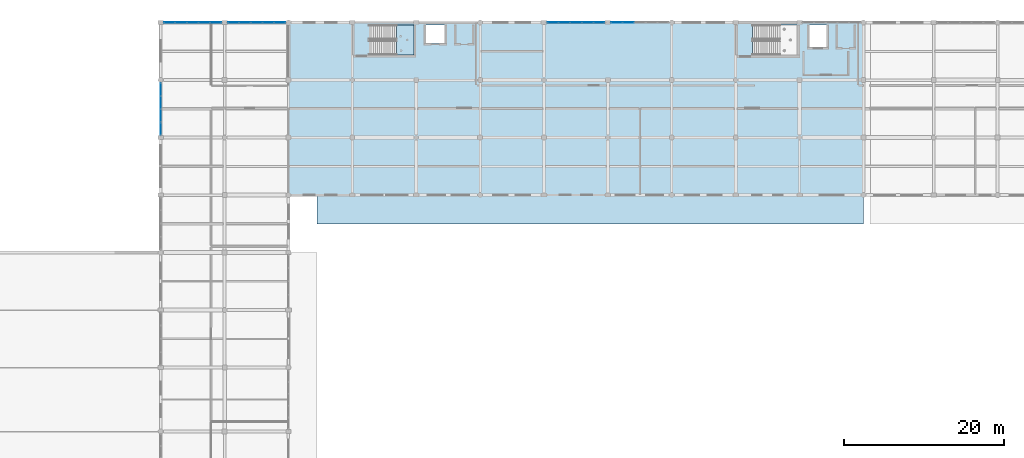
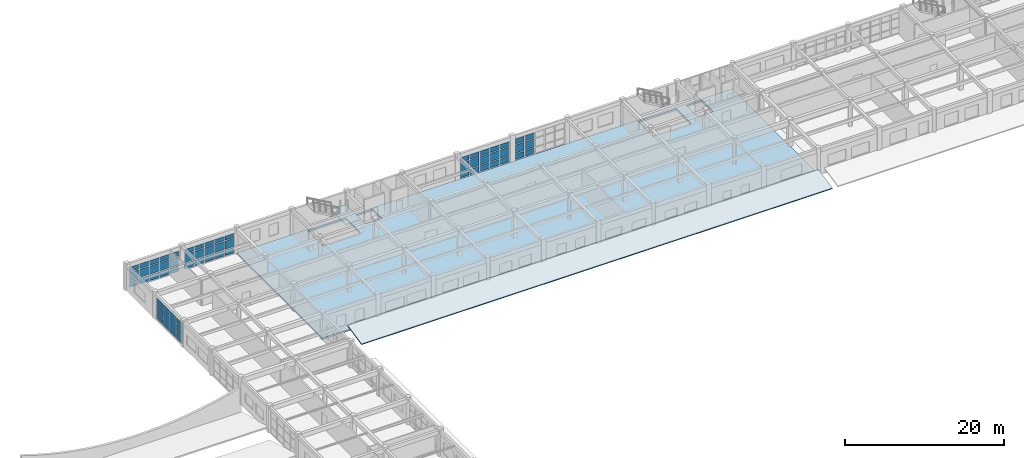
# One storey, part 95 of 121: 63 plates, 3 slabs, 6 elements without a shape of their own.
"""IFC4 building model written with IfcOpenShell, lengths in metres."""

from ifc_helpers import new_model, si_unit, direction, frame, origin, origin_2d, place, context, subcontext, project, spatial, polyline, rectangle, outline, extrude, material, layer, layer_set, type_object, element, aggregate, save


model = new_model("IFC4")

# Units and contexts
model_context = context("Model", 3, precision=1e-05, world=origin(), true_north=direction((0.0, 1.0)))
body_context = subcontext(model_context, "Body", "Model", "MODEL_VIEW")
ifc_project = project(units=[si_unit("LENGTHUNIT", "METRE"), si_unit("AREAUNIT", "SQUARE_METRE"), si_unit("VOLUMEUNIT", "CUBIC_METRE"), si_unit("PLANEANGLEUNIT", "RADIAN"), si_unit("MASSUNIT", "GRAM", prefix="KILO")], contexts=[model_context])

# Site, building, storey
site_placement = place(None, origin())
site = spatial("IfcSite", under=ifc_project, at=site_placement, CompositionType="ELEMENT")
building_placement = place(site_placement, origin())
building = spatial("IfcBuilding", under=site, at=building_placement, Name="Kharva Crest Polytechnic", CompositionType="ELEMENT")
storey_placement = place(building_placement, frame((0.0, 0.0, 13.199951171875)))
storey = spatial("IfcBuildingStorey", under=building, at=storey_placement, Name="L03", CompositionType="ELEMENT", Elevation=13.199951171875)

# Curtain wall, plates
ifc_material_1 = material(Name="Tempered insulated glass", Category="glass")
curtain_wall_type = type_object("IfcCurtainWallType", Name="CW-SYS-LIBRARY", PredefinedType="USERDEFINED", material=ifc_material_1)
curtain_wall_1_placement = place(storey_placement, origin())
curtain_wall_1 = element("IfcCurtainWall", 1, at=curtain_wall_1_placement, inside=storey, type_object=curtain_wall_type, Name="L03 Glazed Curtain Wall CW-160", ObjectType="CURTAIN WALL", PredefinedType="USERDEFINED")
ifc_layer_1 = layer(ifc_material_1, 0.031982421875, Name="Tempered insulated glass")
ifc_layer_set_1 = layer_set([ifc_layer_1], Name="Tempered insulated glass")
plate_type = type_object("IfcPlateType", Name="CWP-GLZ-32", PredefinedType="CURTAIN_PANEL", material=ifc_layer_set_1)
plate_1_placement = place(storey_placement, frame((90.5439453125, 122.0, 0.14013671875), z_axis=(0.0, 0.0, 1.0), x_axis=(-1.0, 0.0, 0.0)))
plate_1 = element("IfcPlate", 2, at=plate_1_placement, type_object=plate_type, Name="CW-160 panel 4.1", PredefinedType="CURTAIN_PANEL", context=body_context, shape_type="SweptSolid", body=[
    extrude(rectangle(XDim=1.365966796875, YDim=0.031982421875, at=origin_2d()), origin(), (0.0, 0.0, 1.0), 0.840087890625),
])
plate_2_placement = place(storey_placement, frame((90.5439453125, 122.0, 1.1201171875), z_axis=(0.0, 0.0, 1.0), x_axis=(-1.0, 0.0, 0.0)))
plate_2 = element("IfcPlate", 3, at=plate_2_placement, type_object=plate_type, Name="CW-160 panel 4.2", PredefinedType="CURTAIN_PANEL", context=body_context, shape_type="SweptSolid", body=[
    extrude(rectangle(XDim=1.365966796875, YDim=0.031982421875, at=origin_2d()), origin(), (0.0, 0.0, 1.0), 1.260009765625),
])
plate_3_placement = place(storey_placement, frame((90.5439453125, 122.0, 2.52001953125), z_axis=(0.0, 0.0, 1.0), x_axis=(-1.0, 0.0, 0.0)))
plate_3 = element("IfcPlate", 4, at=plate_3_placement, type_object=plate_type, Name="CW-160 panel 4.3", PredefinedType="CURTAIN_PANEL", context=body_context, shape_type="SweptSolid", body=[
    extrude(rectangle(XDim=1.365966796875, YDim=0.031982421875, at=origin_2d()), origin(), (0.0, 0.0, 1.0), 0.800048828125),
])
plate_4_placement = place(storey_placement, frame((89.10302734375, 122.0, 0.14013671875), z_axis=(0.0, 0.0, 1.0), x_axis=(-1.0, 0.0, 0.0)))
plate_4 = element("IfcPlate", 5, at=plate_4_placement, type_object=plate_type, Name="CW-160 panel 5.1", PredefinedType="CURTAIN_PANEL", context=body_context, shape_type="SweptSolid", body=[
    extrude(rectangle(XDim=1.31591796875, YDim=0.031982421875, at=origin_2d()), origin(), (0.0, 0.0, 1.0), 0.840087890625),
])
plate_5_placement = place(storey_placement, frame((89.10302734375, 122.0, 1.1201171875), z_axis=(0.0, 0.0, 1.0), x_axis=(-1.0, 0.0, 0.0)))
plate_5 = element("IfcPlate", 6, at=plate_5_placement, type_object=plate_type, Name="CW-160 panel 5.2", PredefinedType="CURTAIN_PANEL", context=body_context, shape_type="SweptSolid", body=[
    extrude(rectangle(XDim=1.31591796875, YDim=0.031982421875, at=origin_2d()), origin(), (0.0, 0.0, 1.0), 1.260009765625),
])
plate_6_placement = place(storey_placement, frame((89.10302734375, 122.0, 2.52001953125), z_axis=(0.0, 0.0, 1.0), x_axis=(-1.0, 0.0, 0.0)))
plate_6 = element("IfcPlate", 7, at=plate_6_placement, type_object=plate_type, Name="CW-160 panel 5.3", PredefinedType="CURTAIN_PANEL", context=body_context, shape_type="SweptSolid", body=[
    extrude(rectangle(XDim=1.31591796875, YDim=0.031982421875, at=origin_2d()), origin(), (0.0, 0.0, 1.0), 0.800048828125),
])
aggregate(curtain_wall_1, [plate_1, plate_2, plate_3, plate_4, plate_5, plate_6])

curtain_wall_2_placement = place(storey_placement, origin())
curtain_wall_2 = element("IfcCurtainWall", 8, at=curtain_wall_2_placement, inside=storey, type_object=curtain_wall_type, Name="L03 Glazed Curtain Wall CW-161", ObjectType="CURTAIN WALL", PredefinedType="USERDEFINED")
plate_7_placement = place(storey_placement, frame((86.89990234375, 122.0, 0.14013671875), z_axis=(0.0, 0.0, 1.0), x_axis=(-1.0, 0.0, 0.0)))
plate_7 = element("IfcPlate", 9, at=plate_7_placement, type_object=plate_type, Name="CW-161 panel 1.1", PredefinedType="CURTAIN_PANEL", context=body_context, shape_type="SweptSolid", body=[
    extrude(rectangle(XDim=1.31005859375, YDim=0.031982421875, at=origin_2d()), origin(), (0.0, 0.0, 1.0), 0.840087890625),
])
plate_8_placement = place(storey_placement, frame((86.89990234375, 122.0, 1.1201171875), z_axis=(0.0, 0.0, 1.0), x_axis=(-1.0, 0.0, 0.0)))
plate_8 = element("IfcPlate", 10, at=plate_8_placement, type_object=plate_type, Name="CW-161 panel 1.2", PredefinedType="CURTAIN_PANEL", context=body_context, shape_type="SweptSolid", body=[
    extrude(rectangle(XDim=1.31005859375, YDim=0.031982421875, at=origin_2d()), origin(), (0.0, 0.0, 1.0), 1.260009765625),
])
plate_9_placement = place(storey_placement, frame((86.89990234375, 122.0, 2.52001953125), z_axis=(0.0, 0.0, 1.0), x_axis=(-1.0, 0.0, 0.0)))
plate_9 = element("IfcPlate", 11, at=plate_9_placement, type_object=plate_type, Name="CW-161 panel 1.3", PredefinedType="CURTAIN_PANEL", context=body_context, shape_type="SweptSolid", body=[
    extrude(rectangle(XDim=1.31005859375, YDim=0.031982421875, at=origin_2d()), origin(), (0.0, 0.0, 1.0), 0.699951171875),
])
plate_10_placement = place(storey_placement, frame((85.465087890625, 122.0, 0.14013671875), z_axis=(0.0, 0.0, 1.0), x_axis=(-1.0, 0.0, 0.0)))
plate_10 = element("IfcPlate", 12, at=plate_10_placement, type_object=plate_type, Name="CW-161 panel 2.1", PredefinedType="CURTAIN_PANEL", context=body_context, shape_type="SweptSolid", body=[
    extrude(rectangle(XDim=1.360107421875, YDim=0.031982421875, at=origin_2d()), origin(), (0.0, 0.0, 1.0), 0.840087890625),
])
plate_11_placement = place(storey_placement, frame((85.465087890625, 122.0, 1.1201171875), z_axis=(0.0, 0.0, 1.0), x_axis=(-1.0, 0.0, 0.0)))
plate_11 = element("IfcPlate", 13, at=plate_11_placement, type_object=plate_type, Name="CW-161 panel 2.2", PredefinedType="CURTAIN_PANEL", context=body_context, shape_type="SweptSolid", body=[
    extrude(rectangle(XDim=1.360107421875, YDim=0.031982421875, at=origin_2d()), origin(), (0.0, 0.0, 1.0), 1.260009765625),
])
plate_12_placement = place(storey_placement, frame((85.465087890625, 122.0, 2.52001953125), z_axis=(0.0, 0.0, 1.0), x_axis=(-1.0, 0.0, 0.0)))
plate_12 = element("IfcPlate", 14, at=plate_12_placement, type_object=plate_type, Name="CW-161 panel 2.3", PredefinedType="CURTAIN_PANEL", context=body_context, shape_type="SweptSolid", body=[
    extrude(rectangle(XDim=1.360107421875, YDim=0.031982421875, at=origin_2d()), origin(), (0.0, 0.0, 1.0), 0.699951171875),
])
plate_13_placement = place(storey_placement, frame((84.0048828125, 122.0, 0.14013671875), z_axis=(0.0, 0.0, 1.0), x_axis=(-1.0, 0.0, 0.0)))
plate_13 = element("IfcPlate", 15, at=plate_13_placement, type_object=plate_type, Name="CW-161 panel 3.1", PredefinedType="CURTAIN_PANEL", context=body_context, shape_type="SweptSolid", body=[
    extrude(rectangle(XDim=1.360107421875, YDim=0.031982421875, at=origin_2d()), origin(), (0.0, 0.0, 1.0), 0.840087890625),
])
plate_14_placement = place(storey_placement, frame((84.0048828125, 122.0, 1.1201171875), z_axis=(0.0, 0.0, 1.0), x_axis=(-1.0, 0.0, 0.0)))
plate_14 = element("IfcPlate", 16, at=plate_14_placement, type_object=plate_type, Name="CW-161 panel 3.2", PredefinedType="CURTAIN_PANEL", context=body_context, shape_type="SweptSolid", body=[
    extrude(rectangle(XDim=1.360107421875, YDim=0.031982421875, at=origin_2d()), origin(), (0.0, 0.0, 1.0), 1.260009765625),
])
plate_15_placement = place(storey_placement, frame((84.0048828125, 122.0, 2.52001953125), z_axis=(0.0, 0.0, 1.0), x_axis=(-1.0, 0.0, 0.0)))
plate_15 = element("IfcPlate", 17, at=plate_15_placement, type_object=plate_type, Name="CW-161 panel 3.3", PredefinedType="CURTAIN_PANEL", context=body_context, shape_type="SweptSolid", body=[
    extrude(rectangle(XDim=1.360107421875, YDim=0.031982421875, at=origin_2d()), origin(), (0.0, 0.0, 1.0), 0.699951171875),
])
plate_16_placement = place(storey_placement, frame((82.544921875, 122.0, 0.14013671875), z_axis=(0.0, 0.0, 1.0), x_axis=(-1.0, 0.0, 0.0)))
plate_16 = element("IfcPlate", 18, at=plate_16_placement, type_object=plate_type, Name="CW-161 panel 4.1", PredefinedType="CURTAIN_PANEL", context=body_context, shape_type="SweptSolid", body=[
    extrude(rectangle(XDim=1.360107421875, YDim=0.031982421875, at=origin_2d()), origin(), (0.0, 0.0, 1.0), 0.840087890625),
])
plate_17_placement = place(storey_placement, frame((82.544921875, 122.0, 1.1201171875), z_axis=(0.0, 0.0, 1.0), x_axis=(-1.0, 0.0, 0.0)))
plate_17 = element("IfcPlate", 19, at=plate_17_placement, type_object=plate_type, Name="CW-161 panel 4.2", PredefinedType="CURTAIN_PANEL", context=body_context, shape_type="SweptSolid", body=[
    extrude(rectangle(XDim=1.360107421875, YDim=0.031982421875, at=origin_2d()), origin(), (0.0, 0.0, 1.0), 1.260009765625),
])
plate_18_placement = place(storey_placement, frame((82.544921875, 122.0, 2.52001953125), z_axis=(0.0, 0.0, 1.0), x_axis=(-1.0, 0.0, 0.0)))
plate_18 = element("IfcPlate", 20, at=plate_18_placement, type_object=plate_type, Name="CW-161 panel 4.3", PredefinedType="CURTAIN_PANEL", context=body_context, shape_type="SweptSolid", body=[
    extrude(rectangle(XDim=1.360107421875, YDim=0.031982421875, at=origin_2d()), origin(), (0.0, 0.0, 1.0), 0.699951171875),
])
plate_19_placement = place(storey_placement, frame((81.110107421875, 122.0, 0.14013671875), z_axis=(0.0, 0.0, 1.0), x_axis=(-1.0, 0.0, 0.0)))
plate_19 = element("IfcPlate", 21, at=plate_19_placement, type_object=plate_type, Name="CW-161 panel 5.1", PredefinedType="CURTAIN_PANEL", context=body_context, shape_type="SweptSolid", body=[
    extrude(rectangle(XDim=1.31005859375, YDim=0.031982421875, at=origin_2d()), origin(), (0.0, 0.0, 1.0), 0.840087890625),
])
plate_20_placement = place(storey_placement, frame((81.110107421875, 122.0, 1.1201171875), z_axis=(0.0, 0.0, 1.0), x_axis=(-1.0, 0.0, 0.0)))
plate_20 = element("IfcPlate", 22, at=plate_20_placement, type_object=plate_type, Name="CW-161 panel 5.2", PredefinedType="CURTAIN_PANEL", context=body_context, shape_type="SweptSolid", body=[
    extrude(rectangle(XDim=1.31005859375, YDim=0.031982421875, at=origin_2d()), origin(), (0.0, 0.0, 1.0), 1.260009765625),
])
plate_21_placement = place(storey_placement, frame((81.110107421875, 122.0, 2.52001953125), z_axis=(0.0, 0.0, 1.0), x_axis=(-1.0, 0.0, 0.0)))
plate_21 = element("IfcPlate", 23, at=plate_21_placement, type_object=plate_type, Name="CW-161 panel 5.3", PredefinedType="CURTAIN_PANEL", context=body_context, shape_type="SweptSolid", body=[
    extrude(rectangle(XDim=1.31005859375, YDim=0.031982421875, at=origin_2d()), origin(), (0.0, 0.0, 1.0), 0.699951171875),
])
aggregate(curtain_wall_2, [plate_7, plate_8, plate_9, plate_10, plate_11, plate_12, plate_13, plate_14, plate_15, plate_16, plate_17, plate_18, plate_19, plate_20, plate_21])

curtain_wall_3_placement = place(storey_placement, origin())
curtain_wall_3 = element("IfcCurtainWall", 24, at=curtain_wall_3_placement, inside=storey, type_object=curtain_wall_type, Name="L03 Glazed Curtain Wall CW-162", ObjectType="CURTAIN WALL", PredefinedType="USERDEFINED")
plate_22_placement = place(storey_placement, frame((46.9169921875, 122.0, 0.14013671875), z_axis=(0.0, 0.0, 1.0), x_axis=(-1.0, 0.0, 0.0)))
plate_22 = element("IfcPlate", 25, at=plate_22_placement, type_object=plate_type, Name="CW-162 panel 1.1", PredefinedType="CURTAIN_PANEL", context=body_context, shape_type="SweptSolid", body=[
    extrude(rectangle(XDim=1.31591796875, YDim=0.031982421875, at=origin_2d()), origin(), (0.0, 0.0, 1.0), 0.840087890625),
])
plate_23_placement = place(storey_placement, frame((46.9169921875, 122.0, 1.1201171875), z_axis=(0.0, 0.0, 1.0), x_axis=(-1.0, 0.0, 0.0)))
plate_23 = element("IfcPlate", 26, at=plate_23_placement, type_object=plate_type, Name="CW-162 panel 1.2", PredefinedType="CURTAIN_PANEL", context=body_context, shape_type="SweptSolid", body=[
    extrude(rectangle(XDim=1.31591796875, YDim=0.031982421875, at=origin_2d()), origin(), (0.0, 0.0, 1.0), 1.260009765625),
])
plate_24_placement = place(storey_placement, frame((46.9169921875, 122.0, 2.52001953125), z_axis=(0.0, 0.0, 1.0), x_axis=(-1.0, 0.0, 0.0)))
plate_24 = element("IfcPlate", 27, at=plate_24_placement, type_object=plate_type, Name="CW-162 panel 1.3", PredefinedType="CURTAIN_PANEL", context=body_context, shape_type="SweptSolid", body=[
    extrude(rectangle(XDim=1.31591796875, YDim=0.031982421875, at=origin_2d()), origin(), (0.0, 0.0, 1.0), 0.6201171875),
])
plate_25_placement = place(storey_placement, frame((45.47607421875, 122.0, 0.14013671875), z_axis=(0.0, 0.0, 1.0), x_axis=(-1.0, 0.0, 0.0)))
plate_25 = element("IfcPlate", 28, at=plate_25_placement, type_object=plate_type, Name="CW-162 panel 2.1", PredefinedType="CURTAIN_PANEL", context=body_context, shape_type="SweptSolid", body=[
    extrude(rectangle(XDim=1.365966796875, YDim=0.031982421875, at=origin_2d()), origin(), (0.0, 0.0, 1.0), 0.840087890625),
])
plate_26_placement = place(storey_placement, frame((45.47607421875, 122.0, 1.1201171875), z_axis=(0.0, 0.0, 1.0), x_axis=(-1.0, 0.0, 0.0)))
plate_26 = element("IfcPlate", 29, at=plate_26_placement, type_object=plate_type, Name="CW-162 panel 2.2", PredefinedType="CURTAIN_PANEL", context=body_context, shape_type="SweptSolid", body=[
    extrude(rectangle(XDim=1.365966796875, YDim=0.031982421875, at=origin_2d()), origin(), (0.0, 0.0, 1.0), 1.260009765625),
])
plate_27_placement = place(storey_placement, frame((45.47607421875, 122.0, 2.52001953125), z_axis=(0.0, 0.0, 1.0), x_axis=(-1.0, 0.0, 0.0)))
plate_27 = element("IfcPlate", 30, at=plate_27_placement, type_object=plate_type, Name="CW-162 panel 2.3", PredefinedType="CURTAIN_PANEL", context=body_context, shape_type="SweptSolid", body=[
    extrude(rectangle(XDim=1.365966796875, YDim=0.031982421875, at=origin_2d()), origin(), (0.0, 0.0, 1.0), 0.6201171875),
])
plate_28_placement = place(storey_placement, frame((44.010009765625, 122.0, 0.14013671875), z_axis=(0.0, 0.0, 1.0), x_axis=(-1.0, 0.0, 0.0)))
plate_28 = element("IfcPlate", 31, at=plate_28_placement, type_object=plate_type, Name="CW-162 panel 3.1", PredefinedType="CURTAIN_PANEL", context=body_context, shape_type="SweptSolid", body=[
    extrude(rectangle(XDim=1.365966796875, YDim=0.031982421875, at=origin_2d()), origin(), (0.0, 0.0, 1.0), 0.840087890625),
])
plate_29_placement = place(storey_placement, frame((44.010009765625, 122.0, 1.1201171875), z_axis=(0.0, 0.0, 1.0), x_axis=(-1.0, 0.0, 0.0)))
plate_29 = element("IfcPlate", 32, at=plate_29_placement, type_object=plate_type, Name="CW-162 panel 3.2", PredefinedType="CURTAIN_PANEL", context=body_context, shape_type="SweptSolid", body=[
    extrude(rectangle(XDim=1.365966796875, YDim=0.031982421875, at=origin_2d()), origin(), (0.0, 0.0, 1.0), 1.260009765625),
])
plate_30_placement = place(storey_placement, frame((44.010009765625, 122.0, 2.52001953125), z_axis=(0.0, 0.0, 1.0), x_axis=(-1.0, 0.0, 0.0)))
plate_30 = element("IfcPlate", 33, at=plate_30_placement, type_object=plate_type, Name="CW-162 panel 3.3", PredefinedType="CURTAIN_PANEL", context=body_context, shape_type="SweptSolid", body=[
    extrude(rectangle(XDim=1.365966796875, YDim=0.031982421875, at=origin_2d()), origin(), (0.0, 0.0, 1.0), 0.6201171875),
])
plate_31_placement = place(storey_placement, frame((42.5439453125, 122.0, 0.14013671875), z_axis=(0.0, 0.0, 1.0), x_axis=(-1.0, 0.0, 0.0)))
plate_31 = element("IfcPlate", 34, at=plate_31_placement, type_object=plate_type, Name="CW-162 panel 4.1", PredefinedType="CURTAIN_PANEL", context=body_context, shape_type="SweptSolid", body=[
    extrude(rectangle(XDim=1.365966796875, YDim=0.031982421875, at=origin_2d()), origin(), (0.0, 0.0, 1.0), 0.840087890625),
])
plate_32_placement = place(storey_placement, frame((42.5439453125, 122.0, 1.1201171875), z_axis=(0.0, 0.0, 1.0), x_axis=(-1.0, 0.0, 0.0)))
plate_32 = element("IfcPlate", 35, at=plate_32_placement, type_object=plate_type, Name="CW-162 panel 4.2", PredefinedType="CURTAIN_PANEL", context=body_context, shape_type="SweptSolid", body=[
    extrude(rectangle(XDim=1.365966796875, YDim=0.031982421875, at=origin_2d()), origin(), (0.0, 0.0, 1.0), 1.260009765625),
])
plate_33_placement = place(storey_placement, frame((42.5439453125, 122.0, 2.52001953125), z_axis=(0.0, 0.0, 1.0), x_axis=(-1.0, 0.0, 0.0)))
plate_33 = element("IfcPlate", 36, at=plate_33_placement, type_object=plate_type, Name="CW-162 panel 4.3", PredefinedType="CURTAIN_PANEL", context=body_context, shape_type="SweptSolid", body=[
    extrude(rectangle(XDim=1.365966796875, YDim=0.031982421875, at=origin_2d()), origin(), (0.0, 0.0, 1.0), 0.6201171875),
])
plate_34_placement = place(storey_placement, frame((41.10302734375, 122.0, 0.14013671875), z_axis=(0.0, 0.0, 1.0), x_axis=(-1.0, 0.0, 0.0)))
plate_34 = element("IfcPlate", 37, at=plate_34_placement, type_object=plate_type, Name="CW-162 panel 5.1", PredefinedType="CURTAIN_PANEL", context=body_context, shape_type="SweptSolid", body=[
    extrude(rectangle(XDim=1.31591796875, YDim=0.031982421875, at=origin_2d()), origin(), (0.0, 0.0, 1.0), 0.840087890625),
])
plate_35_placement = place(storey_placement, frame((41.10302734375, 122.0, 1.1201171875), z_axis=(0.0, 0.0, 1.0), x_axis=(-1.0, 0.0, 0.0)))
plate_35 = element("IfcPlate", 38, at=plate_35_placement, type_object=plate_type, Name="CW-162 panel 5.2", PredefinedType="CURTAIN_PANEL", context=body_context, shape_type="SweptSolid", body=[
    extrude(rectangle(XDim=1.31591796875, YDim=0.031982421875, at=origin_2d()), origin(), (0.0, 0.0, 1.0), 1.260009765625),
])
plate_36_placement = place(storey_placement, frame((41.10302734375, 122.0, 2.52001953125), z_axis=(0.0, 0.0, 1.0), x_axis=(-1.0, 0.0, 0.0)))
plate_36 = element("IfcPlate", 39, at=plate_36_placement, type_object=plate_type, Name="CW-162 panel 5.3", PredefinedType="CURTAIN_PANEL", context=body_context, shape_type="SweptSolid", body=[
    extrude(rectangle(XDim=1.31591796875, YDim=0.031982421875, at=origin_2d()), origin(), (0.0, 0.0, 1.0), 0.6201171875),
])
aggregate(curtain_wall_3, [plate_22, plate_23, plate_24, plate_25, plate_26, plate_27, plate_28, plate_29, plate_30, plate_31, plate_32, plate_33, plate_34, plate_35, plate_36])

curtain_wall_4_placement = place(storey_placement, origin())
curtain_wall_4 = element("IfcCurtainWall", 40, at=curtain_wall_4_placement, inside=storey, type_object=curtain_wall_type, Name="L03 Glazed Curtain Wall CW-163", ObjectType="CURTAIN WALL", PredefinedType="USERDEFINED")
plate_37_placement = place(storey_placement, frame((38.89990234375, 122.0, 0.14013671875), z_axis=(0.0, 0.0, 1.0), x_axis=(-1.0, 0.0, 0.0)))
plate_37 = element("IfcPlate", 41, at=plate_37_placement, type_object=plate_type, Name="CW-163 panel 1.1", PredefinedType="CURTAIN_PANEL", context=body_context, shape_type="SweptSolid", body=[
    extrude(rectangle(XDim=1.31005859375, YDim=0.031982421875, at=origin_2d()), origin(), (0.0, 0.0, 1.0), 0.840087890625),
])
plate_38_placement = place(storey_placement, frame((38.89990234375, 122.0, 1.1201171875), z_axis=(0.0, 0.0, 1.0), x_axis=(-1.0, 0.0, 0.0)))
plate_38 = element("IfcPlate", 42, at=plate_38_placement, type_object=plate_type, Name="CW-163 panel 1.2", PredefinedType="CURTAIN_PANEL", context=body_context, shape_type="SweptSolid", body=[
    extrude(rectangle(XDim=1.31005859375, YDim=0.031982421875, at=origin_2d()), origin(), (0.0, 0.0, 1.0), 1.260009765625),
])
plate_39_placement = place(storey_placement, frame((38.89990234375, 122.0, 2.52001953125), z_axis=(0.0, 0.0, 1.0), x_axis=(-1.0, 0.0, 0.0)))
plate_39 = element("IfcPlate", 43, at=plate_39_placement, type_object=plate_type, Name="CW-163 panel 1.3", PredefinedType="CURTAIN_PANEL", context=body_context, shape_type="SweptSolid", body=[
    extrude(rectangle(XDim=1.31005859375, YDim=0.031982421875, at=origin_2d()), origin(), (0.0, 0.0, 1.0), 0.699951171875),
])
plate_40_placement = place(storey_placement, frame((37.465087890625, 122.0, 0.14013671875), z_axis=(0.0, 0.0, 1.0), x_axis=(-1.0, 0.0, 0.0)))
plate_40 = element("IfcPlate", 44, at=plate_40_placement, type_object=plate_type, Name="CW-163 panel 2.1", PredefinedType="CURTAIN_PANEL", context=body_context, shape_type="SweptSolid", body=[
    extrude(rectangle(XDim=1.360107421875, YDim=0.031982421875, at=origin_2d()), origin(), (0.0, 0.0, 1.0), 0.840087890625),
])
plate_41_placement = place(storey_placement, frame((37.465087890625, 122.0, 1.1201171875), z_axis=(0.0, 0.0, 1.0), x_axis=(-1.0, 0.0, 0.0)))
plate_41 = element("IfcPlate", 45, at=plate_41_placement, type_object=plate_type, Name="CW-163 panel 2.2", PredefinedType="CURTAIN_PANEL", context=body_context, shape_type="SweptSolid", body=[
    extrude(rectangle(XDim=1.360107421875, YDim=0.031982421875, at=origin_2d()), origin(), (0.0, 0.0, 1.0), 1.260009765625),
])
plate_42_placement = place(storey_placement, frame((37.465087890625, 122.0, 2.52001953125), z_axis=(0.0, 0.0, 1.0), x_axis=(-1.0, 0.0, 0.0)))
plate_42 = element("IfcPlate", 46, at=plate_42_placement, type_object=plate_type, Name="CW-163 panel 2.3", PredefinedType="CURTAIN_PANEL", context=body_context, shape_type="SweptSolid", body=[
    extrude(rectangle(XDim=1.360107421875, YDim=0.031982421875, at=origin_2d()), origin(), (0.0, 0.0, 1.0), 0.699951171875),
])
plate_43_placement = place(storey_placement, frame((36.0048828125, 122.0, 0.14013671875), z_axis=(0.0, 0.0, 1.0), x_axis=(-1.0, 0.0, 0.0)))
plate_43 = element("IfcPlate", 47, at=plate_43_placement, type_object=plate_type, Name="CW-163 panel 3.1", PredefinedType="CURTAIN_PANEL", context=body_context, shape_type="SweptSolid", body=[
    extrude(rectangle(XDim=1.360107421875, YDim=0.031982421875, at=origin_2d()), origin(), (0.0, 0.0, 1.0), 0.840087890625),
])
plate_44_placement = place(storey_placement, frame((36.0048828125, 122.0, 1.1201171875), z_axis=(0.0, 0.0, 1.0), x_axis=(-1.0, 0.0, 0.0)))
plate_44 = element("IfcPlate", 48, at=plate_44_placement, type_object=plate_type, Name="CW-163 panel 3.2", PredefinedType="CURTAIN_PANEL", context=body_context, shape_type="SweptSolid", body=[
    extrude(rectangle(XDim=1.360107421875, YDim=0.031982421875, at=origin_2d()), origin(), (0.0, 0.0, 1.0), 1.260009765625),
])
plate_45_placement = place(storey_placement, frame((36.0048828125, 122.0, 2.52001953125), z_axis=(0.0, 0.0, 1.0), x_axis=(-1.0, 0.0, 0.0)))
plate_45 = element("IfcPlate", 49, at=plate_45_placement, type_object=plate_type, Name="CW-163 panel 3.3", PredefinedType="CURTAIN_PANEL", context=body_context, shape_type="SweptSolid", body=[
    extrude(rectangle(XDim=1.360107421875, YDim=0.031982421875, at=origin_2d()), origin(), (0.0, 0.0, 1.0), 0.699951171875),
])
plate_46_placement = place(storey_placement, frame((34.544921875, 122.0, 0.14013671875), z_axis=(0.0, 0.0, 1.0), x_axis=(-1.0, 0.0, 0.0)))
plate_46 = element("IfcPlate", 50, at=plate_46_placement, type_object=plate_type, Name="CW-163 panel 4.1", PredefinedType="CURTAIN_PANEL", context=body_context, shape_type="SweptSolid", body=[
    extrude(rectangle(XDim=1.360107421875, YDim=0.031982421875, at=origin_2d()), origin(), (0.0, 0.0, 1.0), 0.840087890625),
])
plate_47_placement = place(storey_placement, frame((34.544921875, 122.0, 1.1201171875), z_axis=(0.0, 0.0, 1.0), x_axis=(-1.0, 0.0, 0.0)))
plate_47 = element("IfcPlate", 51, at=plate_47_placement, type_object=plate_type, Name="CW-163 panel 4.2", PredefinedType="CURTAIN_PANEL", context=body_context, shape_type="SweptSolid", body=[
    extrude(rectangle(XDim=1.360107421875, YDim=0.031982421875, at=origin_2d()), origin(), (0.0, 0.0, 1.0), 1.260009765625),
])
plate_48_placement = place(storey_placement, frame((34.544921875, 122.0, 2.52001953125), z_axis=(0.0, 0.0, 1.0), x_axis=(-1.0, 0.0, 0.0)))
plate_48 = element("IfcPlate", 52, at=plate_48_placement, type_object=plate_type, Name="CW-163 panel 4.3", PredefinedType="CURTAIN_PANEL", context=body_context, shape_type="SweptSolid", body=[
    extrude(rectangle(XDim=1.360107421875, YDim=0.031982421875, at=origin_2d()), origin(), (0.0, 0.0, 1.0), 0.699951171875),
])
plate_49_placement = place(storey_placement, frame((33.110107421875, 122.0, 0.14013671875), z_axis=(0.0, 0.0, 1.0), x_axis=(-1.0, 0.0, 0.0)))
plate_49 = element("IfcPlate", 53, at=plate_49_placement, type_object=plate_type, Name="CW-163 panel 5.1", PredefinedType="CURTAIN_PANEL", context=body_context, shape_type="SweptSolid", body=[
    extrude(rectangle(XDim=1.31005859375, YDim=0.031982421875, at=origin_2d()), origin(), (0.0, 0.0, 1.0), 0.840087890625),
])
plate_50_placement = place(storey_placement, frame((33.110107421875, 122.0, 1.1201171875), z_axis=(0.0, 0.0, 1.0), x_axis=(-1.0, 0.0, 0.0)))
plate_50 = element("IfcPlate", 54, at=plate_50_placement, type_object=plate_type, Name="CW-163 panel 5.2", PredefinedType="CURTAIN_PANEL", context=body_context, shape_type="SweptSolid", body=[
    extrude(rectangle(XDim=1.31005859375, YDim=0.031982421875, at=origin_2d()), origin(), (0.0, 0.0, 1.0), 1.260009765625),
])
plate_51_placement = place(storey_placement, frame((33.110107421875, 122.0, 2.52001953125), z_axis=(0.0, 0.0, 1.0), x_axis=(-1.0, 0.0, 0.0)))
plate_51 = element("IfcPlate", 55, at=plate_51_placement, type_object=plate_type, Name="CW-163 panel 5.3", PredefinedType="CURTAIN_PANEL", context=body_context, shape_type="SweptSolid", body=[
    extrude(rectangle(XDim=1.31005859375, YDim=0.031982421875, at=origin_2d()), origin(), (0.0, 0.0, 1.0), 0.699951171875),
])
aggregate(curtain_wall_4, [plate_37, plate_38, plate_39, plate_40, plate_41, plate_42, plate_43, plate_44, plate_45, plate_46, plate_47, plate_48, plate_49, plate_50, plate_51])

curtain_wall_5_placement = place(storey_placement, origin())
curtain_wall_5 = element("IfcCurtainWall", 56, at=curtain_wall_5_placement, inside=storey, type_object=curtain_wall_type, Name="L03 Glazed Curtain Wall CW-164", ObjectType="CURTAIN WALL", PredefinedType="USERDEFINED")
plate_52_placement = place(storey_placement, frame((32.0, 113.62255859375, 0.14013671875), z_axis=(0.0, 0.0, 1.0), x_axis=(0.0, -1.0, 0.0)))
plate_52 = element("IfcPlate", 57, at=plate_52_placement, type_object=plate_type, Name="CW-164 panel 1.1", PredefinedType="CURTAIN_PANEL", context=body_context, shape_type="SweptSolid", body=[
    extrude(rectangle(XDim=1.5048828125, YDim=0.031982421875, at=origin_2d()), origin(), (0.0, 0.0, 1.0), 0.840087890625),
])
plate_53_placement = place(storey_placement, frame((32.0, 113.62255859375, 1.1201171875), z_axis=(0.0, 0.0, 1.0), x_axis=(0.0, -1.0, 0.0)))
plate_53 = element("IfcPlate", 58, at=plate_53_placement, type_object=plate_type, Name="CW-164 panel 1.2", PredefinedType="CURTAIN_PANEL", context=body_context, shape_type="SweptSolid", body=[
    extrude(rectangle(XDim=1.5048828125, YDim=0.031982421875, at=origin_2d()), origin(), (0.0, 0.0, 1.0), 1.260009765625),
])
plate_54_placement = place(storey_placement, frame((32.0, 113.62255859375, 2.52001953125), z_axis=(0.0, 0.0, 1.0), x_axis=(0.0, -1.0, 0.0)))
plate_54 = element("IfcPlate", 59, at=plate_54_placement, type_object=plate_type, Name="CW-164 panel 1.3", PredefinedType="CURTAIN_PANEL", context=body_context, shape_type="SweptSolid", body=[
    extrude(rectangle(XDim=1.5048828125, YDim=0.031982421875, at=origin_2d()), origin(), (0.0, 0.0, 1.0), 0.780029296875),
])
plate_55_placement = place(storey_placement, frame((32.0, 111.992431640625, 0.14013671875), z_axis=(0.0, 0.0, 1.0), x_axis=(0.0, -1.0, 0.0)))
plate_55 = element("IfcPlate", 60, at=plate_55_placement, type_object=plate_type, Name="CW-164 panel 2.1", PredefinedType="CURTAIN_PANEL", context=body_context, shape_type="SweptSolid", body=[
    extrude(rectangle(XDim=1.554931640625, YDim=0.031982421875, at=origin_2d()), origin(), (0.0, 0.0, 1.0), 0.840087890625),
])
plate_56_placement = place(storey_placement, frame((32.0, 111.992431640625, 1.1201171875), z_axis=(0.0, 0.0, 1.0), x_axis=(0.0, -1.0, 0.0)))
plate_56 = element("IfcPlate", 61, at=plate_56_placement, type_object=plate_type, Name="CW-164 panel 2.2", PredefinedType="CURTAIN_PANEL", context=body_context, shape_type="SweptSolid", body=[
    extrude(rectangle(XDim=1.554931640625, YDim=0.031982421875, at=origin_2d()), origin(), (0.0, 0.0, 1.0), 1.260009765625),
])
plate_57_placement = place(storey_placement, frame((32.0, 111.992431640625, 2.52001953125), z_axis=(0.0, 0.0, 1.0), x_axis=(0.0, -1.0, 0.0)))
plate_57 = element("IfcPlate", 62, at=plate_57_placement, type_object=plate_type, Name="CW-164 panel 2.3", PredefinedType="CURTAIN_PANEL", context=body_context, shape_type="SweptSolid", body=[
    extrude(rectangle(XDim=1.554931640625, YDim=0.031982421875, at=origin_2d()), origin(), (0.0, 0.0, 1.0), 0.780029296875),
])
plate_58_placement = place(storey_placement, frame((32.0, 110.33740234375, 0.14013671875), z_axis=(0.0, 0.0, 1.0), x_axis=(0.0, -1.0, 0.0)))
plate_58 = element("IfcPlate", 63, at=plate_58_placement, type_object=plate_type, Name="CW-164 panel 3.1", PredefinedType="CURTAIN_PANEL", context=body_context, shape_type="SweptSolid", body=[
    extrude(rectangle(XDim=1.554931640625, YDim=0.031982421875, at=origin_2d()), origin(), (0.0, 0.0, 1.0), 0.840087890625),
])
plate_59_placement = place(storey_placement, frame((32.0, 110.33740234375, 1.1201171875), z_axis=(0.0, 0.0, 1.0), x_axis=(0.0, -1.0, 0.0)))
plate_59 = element("IfcPlate", 64, at=plate_59_placement, type_object=plate_type, Name="CW-164 panel 3.2", PredefinedType="CURTAIN_PANEL", context=body_context, shape_type="SweptSolid", body=[
    extrude(rectangle(XDim=1.554931640625, YDim=0.031982421875, at=origin_2d()), origin(), (0.0, 0.0, 1.0), 1.260009765625),
])
plate_60_placement = place(storey_placement, frame((32.0, 110.33740234375, 2.52001953125), z_axis=(0.0, 0.0, 1.0), x_axis=(0.0, -1.0, 0.0)))
plate_60 = element("IfcPlate", 65, at=plate_60_placement, type_object=plate_type, Name="CW-164 panel 3.3", PredefinedType="CURTAIN_PANEL", context=body_context, shape_type="SweptSolid", body=[
    extrude(rectangle(XDim=1.554931640625, YDim=0.031982421875, at=origin_2d()), origin(), (0.0, 0.0, 1.0), 0.780029296875),
])
plate_61_placement = place(storey_placement, frame((32.0, 108.70751953125, 0.14013671875), z_axis=(0.0, 0.0, 1.0), x_axis=(0.0, -1.0, 0.0)))
plate_61 = element("IfcPlate", 66, at=plate_61_placement, type_object=plate_type, Name="CW-164 panel 4.1", PredefinedType="CURTAIN_PANEL", context=body_context, shape_type="SweptSolid", body=[
    extrude(rectangle(XDim=1.5048828125, YDim=0.031982421875, at=origin_2d()), origin(), (0.0, 0.0, 1.0), 0.840087890625),
])
plate_62_placement = place(storey_placement, frame((32.0, 108.70751953125, 1.1201171875), z_axis=(0.0, 0.0, 1.0), x_axis=(0.0, -1.0, 0.0)))
plate_62 = element("IfcPlate", 67, at=plate_62_placement, type_object=plate_type, Name="CW-164 panel 4.2", PredefinedType="CURTAIN_PANEL", context=body_context, shape_type="SweptSolid", body=[
    extrude(rectangle(XDim=1.5048828125, YDim=0.031982421875, at=origin_2d()), origin(), (0.0, 0.0, 1.0), 1.260009765625),
])
plate_63_placement = place(storey_placement, frame((32.0, 108.70751953125, 2.52001953125), z_axis=(0.0, 0.0, 1.0), x_axis=(0.0, -1.0, 0.0)))
plate_63 = element("IfcPlate", 68, at=plate_63_placement, type_object=plate_type, Name="CW-164 panel 4.3", PredefinedType="CURTAIN_PANEL", context=body_context, shape_type="SweptSolid", body=[
    extrude(rectangle(XDim=1.5048828125, YDim=0.031982421875, at=origin_2d()), origin(), (0.0, 0.0, 1.0), 0.780029296875),
])
aggregate(curtain_wall_5, [plate_52, plate_53, plate_54, plate_55, plate_56, plate_57, plate_58, plate_59, plate_60, plate_61, plate_62, plate_63])

# Slab
ifc_material_2 = material(Name="Concrete C35/45", Category="concrete")
ifc_layer_2 = layer(ifc_material_2, 0.260009765625, Name="Concrete C35/45")
ifc_layer_set_2 = layer_set([ifc_layer_2], Name="Concrete C35/45")
slab_type_1 = type_object("IfcSlabType", Name="SLB-FLR-260", PredefinedType="FLOOR", material=ifc_layer_set_2)
slab_1_placement = place(storey_placement, frame((0.0, 0.0, -0.260009765625)))
element("IfcSlab", 69, at=slab_1_placement, inside=storey, type_object=slab_type_1, Name="L03 Structural Slab N_LAB-W", PredefinedType="FLOOR", context=body_context, shape_type="SweptSolid", body=[
    extrude(outline(polyline([(48.0, 100.39990234375), (120.0, 100.39990234375), (120.0, 122.0), (48.0, 122.0), (48.0, 100.39990234375)]), holes=[polyline([(58.1298828125, 117.93994140625), (63.699951171875, 117.93994140625), (63.699951171875, 121.699951171875), (58.1298828125, 121.699951171875), (58.1298828125, 117.93994140625)]), polyline([(65.199951171875, 119.39990234375), (67.60009765625, 119.39990234375), (67.60009765625, 121.699951171875), (65.199951171875, 121.699951171875), (65.199951171875, 119.39990234375)]), polyline([(106.1298828125, 117.93994140625), (111.699951171875, 117.93994140625), (111.699951171875, 121.699951171875), (106.1298828125, 121.699951171875), (106.1298828125, 117.93994140625)]), polyline([(113.199951171875, 118.89990234375), (115.39990234375, 118.89990234375), (115.39990234375, 121.699951171875), (113.199951171875, 121.699951171875), (113.199951171875, 118.89990234375)])]), origin(), (0.0, 0.0, 1.0), 0.260009765625),
])

# Stair, slab
stair_type = type_object("IfcStairType", Name="STR-DOGLEG-1780", PredefinedType="TWO_STRAIGHT_RUN_STAIR", material=ifc_material_2)
stair_placement = place(storey_placement, origin())
stair = element("IfcStair", 70, at=stair_placement, inside=storey, type_object=stair_type, Name="L03 North-West Lab Core C3", PredefinedType="TWO_STRAIGHT_RUN_STAIR")
ifc_layer_3 = layer(ifc_material_2, 0.199951171875, Name="Concrete C35/45")
ifc_layer_set_3 = layer_set([ifc_layer_3], Name="Concrete C35/45")
slab_type_2 = type_object("IfcSlabType", Name="SLB-LAND-200", PredefinedType="LANDING", material=ifc_layer_set_3)
slab_2_placement = place(storey_placement, frame((0.0, 0.0, 1.900146484375)))
slab_2 = element("IfcSlab", 71, at=slab_2_placement, type_object=slab_type_2, Name="ST-03 landing 1", PredefinedType="LANDING", context=body_context, shape_type="SweptSolid", body=[
    extrude(outline(polyline([(61.534912109375, 117.93994140625), (63.699951171875, 117.93994140625), (63.699951171875, 121.699951171875), (61.534912109375, 121.699951171875), (61.534912109375, 117.93994140625)])), origin(), (0.0, 0.0, 1.0), 0.199951171875),
])
aggregate(stair, [slab_2])

# Slab
ifc_layer_4 = layer(ifc_material_2, 0.155029296875, Name="Concrete C35/45")
ifc_layer_set_4 = layer_set([ifc_layer_4], Name="Concrete C35/45")
slab_type_3 = type_object("IfcSlabType", Name="SLB-ROOF-155", PredefinedType="ROOF", material=ifc_layer_set_4)
slab_3_placement = place(storey_placement, frame((51.60009765625, 96.800048828125, 0.0), z_axis=(0.0, -0.206568936486, 0.978432048984), x_axis=(1.0, 0.0, 0.0)))
element("IfcSlab", 72, at=slab_3_placement, inside=storey, type_object=slab_type_3, Name="North Courtyard Veranda Sloped Canopy W", PredefinedType="ROOF", context=body_context, shape_type="SweptSolid", body=[
    extrude(outline(polyline([(0.0, 0.0), (68.39990234375, 0.0), (68.39990234375, 3.679206460339381), (0.0, 3.679206460339381), (0.0, 0.0)])), origin(), (0.0, 0.0, -1.0), 0.155029296875),
])

save(model, "model.ifc")
